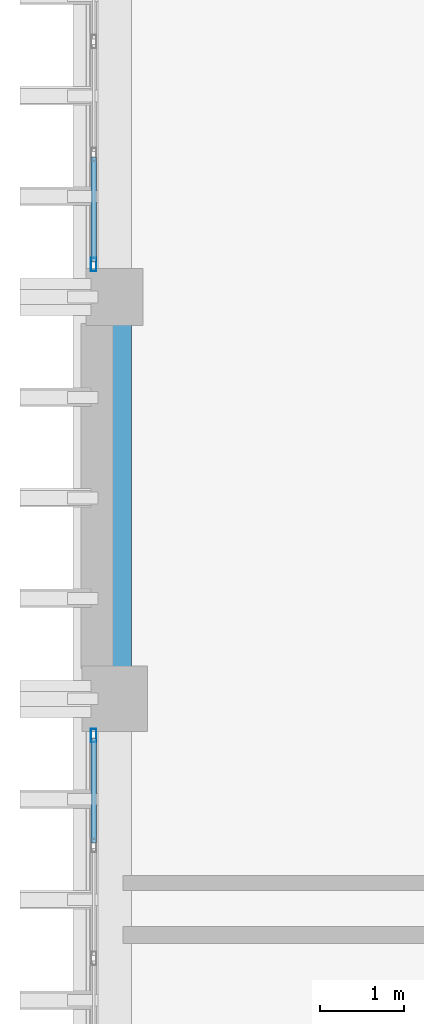
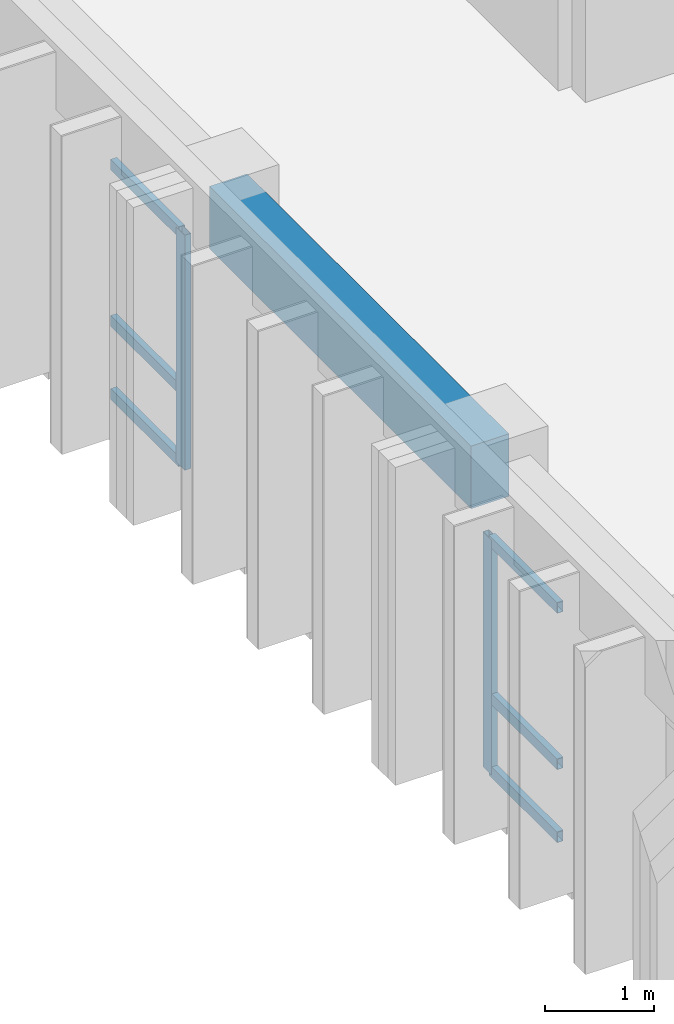
# One storey, part 42 of 68: 8 members, 1 beam, 2 elements without a shape of their own.
"""IFC4 building model written with IfcOpenShell, lengths in metres."""

from ifc_helpers import new_model, si_unit, direction, frame, origin, origin_2d, place, context, subcontext, project, spatial, rectangle, hollow_rectangle, extrude, material, layer, layer_set, material_profile, profile_set, type_object, element, aggregate, save


model = new_model("IFC4")

# Units and contexts
model_context = context("Model", 3, precision=1e-05, world=origin(), true_north=direction((0.0, 1.0)))
body_context = subcontext(model_context, "Body", "Model", "MODEL_VIEW")
ifc_project = project(units=[si_unit("LENGTHUNIT", "METRE"), si_unit("AREAUNIT", "SQUARE_METRE"), si_unit("VOLUMEUNIT", "CUBIC_METRE"), si_unit("PLANEANGLEUNIT", "RADIAN"), si_unit("MASSUNIT", "GRAM", prefix="KILO")], contexts=[model_context])

# Site, building, storey
site_placement = place(None, origin())
site = spatial("IfcSite", under=ifc_project, at=site_placement, CompositionType="ELEMENT")
building_placement = place(site_placement, origin())
building = spatial("IfcBuilding", under=site, at=building_placement, Name="Nakhvara Creek Congress Hotel", CompositionType="ELEMENT")
storey_placement = place(building_placement, frame((0.0, 0.0, 24.60009765625)))
storey = spatial("IfcBuildingStorey", under=building, at=storey_placement, Name="L05", CompositionType="ELEMENT", Elevation=24.60009765625)

# Beam
ifc_material_1 = material(Name="Concrete C40/50", Category="concrete")
ifc_material_profile_1 = material_profile(ifc_material_1, rectangle(XDim=0.39990234375, YDim=0.699951171875, at=origin_2d()), Name="RC-BM 400x700", Category="LoadBearing")
ifc_profile_set_1 = profile_set([ifc_material_profile_1], Name="Concrete C40/50")
beam_type = type_object("IfcBeamType", Name="BM-RC-400X700", PredefinedType="BEAM", material=ifc_profile_set_1)
beam_placement = place(storey_placement, frame((149.449951171875, 105.60009765625, 2.989990234375), z_axis=(0.0, 1.0, 0.0), x_axis=(-1.0, 0.0, 0.0)))
element("IfcBeam", 1, at=beam_placement, inside=storey, type_object=beam_type, Name="Beam B05-L05-2081", PredefinedType="BEAM", context=body_context, shape_type="SweptSolid", body=[
    extrude(rectangle(XDim=0.39990234375, YDim=0.699951171875, at=origin_2d()), origin(), (0.0, 0.0, 1.0), 4.7998046875),
])

# Curtain wall, member
ifc_material_2 = material(Name="Bronze-anodised aluminium AW-6063-T6 and double-silver low-E glass", Category="aluminium")
ifc_layer = layer(ifc_material_2, 0.199951171875)
ifc_layer_set = layer_set([ifc_layer], Name="Bronze-anodised aluminium AW-6063-T6 and double-silver low-E glass")
curtain_wall_type = type_object("IfcCurtainWallType", Name="CW-HTL-UNIT", PredefinedType="USERDEFINED", material=ifc_layer_set)
curtain_wall_1_placement = place(storey_placement, origin())
curtain_wall_1 = element("IfcCurtainWall", 2, at=curtain_wall_1_placement, inside=storey, type_object=curtain_wall_type, Name="Curtain Wall CW223", ObjectType="UNITISED", PredefinedType="USERDEFINED")
ifc_material_3 = material(Name="Bronze-anodised aluminium AW-6063-T6", Category="aluminium")
ifc_material_profile_2 = material_profile(ifc_material_3, hollow_rectangle(XDim=0.06494140625, YDim=0.159912109375, WallThickness=0.00390625, at=origin_2d()), Name="ALU-MULL 65x160x4", Category="LoadBearing")
ifc_profile_set_2 = profile_set([ifc_material_profile_2], Name="Bronze-anodised aluminium AW-6063-T6")
member_type_1 = type_object("IfcMemberType", Name="CW-MULL-160", PredefinedType="MULLION", material=ifc_profile_set_2)
member_1_placement = place(storey_placement, frame((149.199951171875, 105.16259765625, 0.0), z_axis=(0.0, 0.0, 1.0), x_axis=(-1.0, 0.0, 0.0)))
member_1 = element("IfcMember", 3, at=member_1_placement, type_object=member_type_1, Name="CW223 mullion 4", PredefinedType="MULLION", context=body_context, shape_type="SweptSolid", body=[
    extrude(hollow_rectangle(XDim=0.06494140625, YDim=0.159912109375, WallThickness=0.00390625, at=origin_2d()), origin(), (0.0, 0.0, 1.0), 2.6318359375),
])

curtain_wall_2_placement = place(storey_placement, origin())
curtain_wall_2 = element("IfcCurtainWall", 4, at=curtain_wall_2_placement, inside=storey, type_object=curtain_wall_type, Name="Curtain Wall CW225", ObjectType="UNITISED", PredefinedType="USERDEFINED")
member_2_placement = place(storey_placement, frame((149.199951171875, 110.78759765625, 0.0), z_axis=(0.0, 0.0, 1.0), x_axis=(-1.0, 0.0, 0.0)))
member_2 = element("IfcMember", 5, at=member_2_placement, type_object=member_type_1, Name="CW225 mullion 1", PredefinedType="MULLION", context=body_context, shape_type="SweptSolid", body=[
    extrude(hollow_rectangle(XDim=0.06494140625, YDim=0.159912109375, WallThickness=0.00390625, at=origin_2d()), origin(), (0.0, 0.0, 1.0), 2.6318359375),
])

# Member
ifc_material_profile_3 = material_profile(ifc_material_3, hollow_rectangle(XDim=0.06494140625, YDim=0.1201171875, WallThickness=0.00390625, at=origin_2d()), Name="ALU-TRAN 65x120x4", Category="LoadBearing")
ifc_profile_set_3 = profile_set([ifc_material_profile_3], Name="Bronze-anodised aluminium AW-6063-T6")
member_type_2 = type_object("IfcMemberType", Name="CW-TRAN-120", PredefinedType="USERDEFINED", material=ifc_profile_set_3)
member_3_placement = place(storey_placement, frame((149.199951171875, 103.880859375, 0.032470703125), z_axis=(0.0, 1.0, 0.0), x_axis=(-1.0, 0.0, 0.0)))
member_3 = element("IfcMember", 6, at=member_3_placement, type_object=member_type_2, Name="CW223 transom 3.1", ObjectType="TRANSOM", PredefinedType="USERDEFINED", context=body_context, shape_type="SweptSolid", body=[
    extrude(hollow_rectangle(XDim=0.06494140625, YDim=0.1201171875, WallThickness=0.00390625, at=origin_2d()), origin(), (0.0, 0.0, 1.0), 1.2490234375),
])

member_4_placement = place(storey_placement, frame((149.199951171875, 103.880859375, 0.849853515625), z_axis=(0.0, 1.0, 0.0), x_axis=(-1.0, 0.0, 0.0)))
member_4 = element("IfcMember", 7, at=member_4_placement, type_object=member_type_2, Name="CW223 transom 3.2", ObjectType="TRANSOM", PredefinedType="USERDEFINED", context=body_context, shape_type="SweptSolid", body=[
    extrude(hollow_rectangle(XDim=0.06494140625, YDim=0.1201171875, WallThickness=0.00390625, at=origin_2d()), origin(), (0.0, 0.0, 1.0), 1.2490234375),
])

member_5_placement = place(storey_placement, frame((149.199951171875, 103.880859375, 2.599365234375), z_axis=(0.0, 1.0, 0.0), x_axis=(-1.0, 0.0, 0.0)))
member_5 = element("IfcMember", 8, at=member_5_placement, type_object=member_type_2, Name="CW223 transom 3.3", ObjectType="TRANSOM", PredefinedType="USERDEFINED", context=body_context, shape_type="SweptSolid", body=[
    extrude(hollow_rectangle(XDim=0.06494140625, YDim=0.1201171875, WallThickness=0.00390625, at=origin_2d()), origin(), (0.0, 0.0, 1.0), 1.2490234375),
])

aggregate(curtain_wall_1, [member_1, member_3, member_4, member_5])

member_6_placement = place(storey_placement, frame((149.199951171875, 110.820068359375, 0.032470703125), z_axis=(0.0, 1.0, 0.0), x_axis=(-1.0, 0.0, 0.0)))
member_6 = element("IfcMember", 9, at=member_6_placement, type_object=member_type_2, Name="CW225 transom 1.1", ObjectType="TRANSOM", PredefinedType="USERDEFINED", context=body_context, shape_type="SweptSolid", body=[
    extrude(hollow_rectangle(XDim=0.06494140625, YDim=0.1201171875, WallThickness=0.00390625, at=origin_2d()), origin(), (0.0, 0.0, 1.0), 1.2490234375),
])

member_7_placement = place(storey_placement, frame((149.199951171875, 110.820068359375, 0.849853515625), z_axis=(0.0, 1.0, 0.0), x_axis=(-1.0, 0.0, 0.0)))
member_7 = element("IfcMember", 10, at=member_7_placement, type_object=member_type_2, Name="CW225 transom 1.2", ObjectType="TRANSOM", PredefinedType="USERDEFINED", context=body_context, shape_type="SweptSolid", body=[
    extrude(hollow_rectangle(XDim=0.06494140625, YDim=0.1201171875, WallThickness=0.00390625, at=origin_2d()), origin(), (0.0, 0.0, 1.0), 1.2490234375),
])

member_8_placement = place(storey_placement, frame((149.199951171875, 110.820068359375, 2.599365234375), z_axis=(0.0, 1.0, 0.0), x_axis=(-1.0, 0.0, 0.0)))
member_8 = element("IfcMember", 11, at=member_8_placement, type_object=member_type_2, Name="CW225 transom 1.3", ObjectType="TRANSOM", PredefinedType="USERDEFINED", context=body_context, shape_type="SweptSolid", body=[
    extrude(hollow_rectangle(XDim=0.06494140625, YDim=0.1201171875, WallThickness=0.00390625, at=origin_2d()), origin(), (0.0, 0.0, 1.0), 1.2490234375),
])

aggregate(curtain_wall_2, [member_2, member_6, member_7, member_8])

save(model, "model.ifc")
